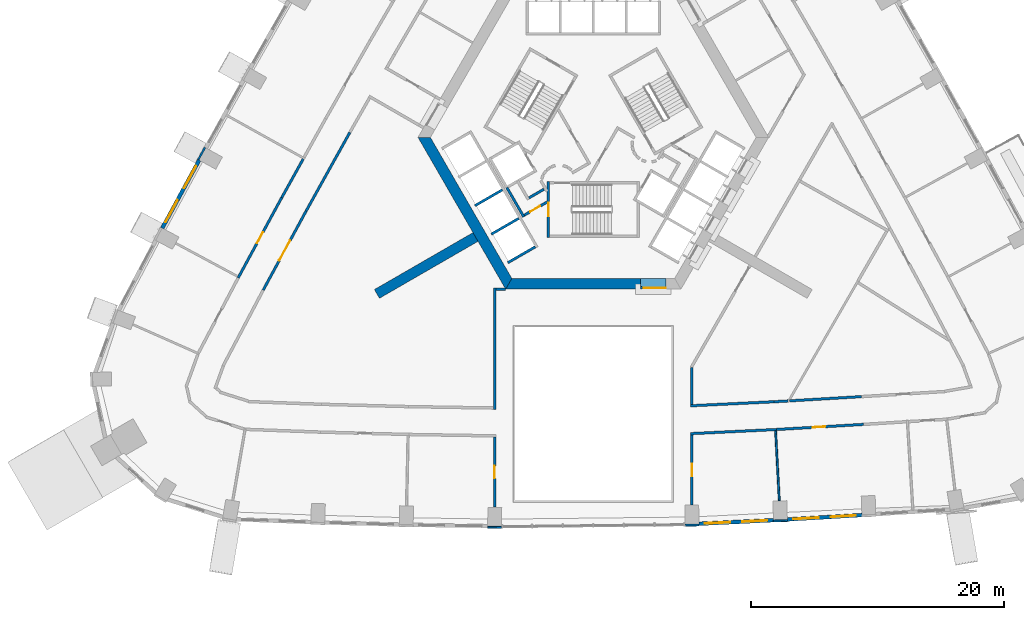
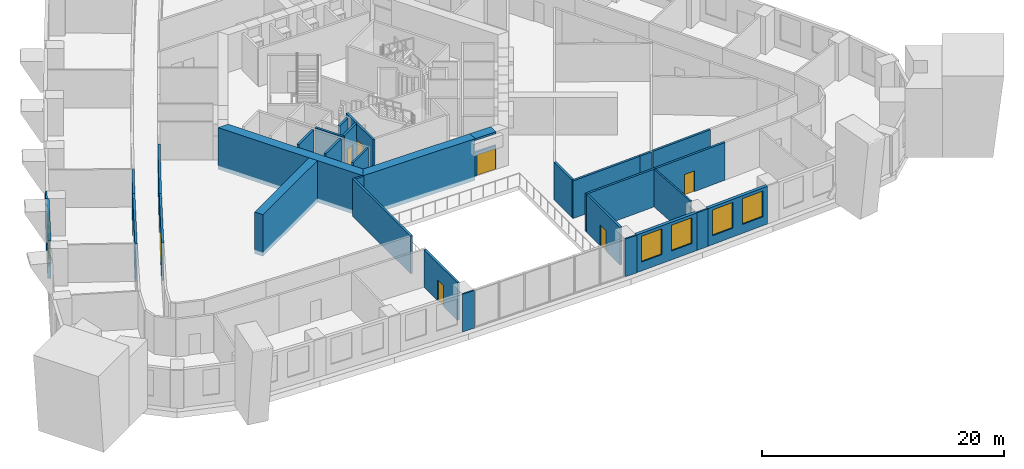
# One storey, part 5 of 15: 34 walls, 8 doors, 6 windows, 14 openings.
"""IFC4 building model written with IfcOpenShell, lengths in metres."""

from ifc_helpers import new_model, si_unit, direction, frame, frame_2d, origin, place, context, subcontext, project, spatial, polyline, rectangle, outline, extrude, material, layer, layer_set, type_object, element, fill, save


model = new_model("IFC4")

# Units and contexts
model_context = context("Model", 3, precision=1e-05, world=origin(), true_north=direction((0.0, 1.0)))
body_context = subcontext(model_context, "Body", "Model", "MODEL_VIEW")
ifc_project = project(units=[si_unit("LENGTHUNIT", "METRE"), si_unit("AREAUNIT", "SQUARE_METRE"), si_unit("VOLUMEUNIT", "CUBIC_METRE"), si_unit("PLANEANGLEUNIT", "RADIAN"), si_unit("MASSUNIT", "GRAM", prefix="KILO")], contexts=[model_context])

# Site, building, storey
site_placement = place(None, origin())
site = spatial("IfcSite", under=ifc_project, at=site_placement, CompositionType="ELEMENT")
building_placement = place(site_placement, origin())
building = spatial("IfcBuilding", under=site, at=building_placement, Name="Entoto Arch Interchange Tower", CompositionType="ELEMENT")
storey_placement = place(building_placement, frame((0.0, 0.0, 124.39990234375)))
storey = spatial("IfcBuildingStorey", under=building, at=storey_placement, Name="L27", CompositionType="ELEMENT", Elevation=124.39990234375)

# Wall
ifc_material_1 = material(Name="Concrete C60/75", Category="concrete")
ifc_layer_1 = layer(ifc_material_1, 0.800048828125)
ifc_layer_set_1 = layer_set([ifc_layer_1], Name="Concrete C60/75")
wall_type_1 = type_object("IfcWallType", Name="Buttress wall 800 C60/75", PredefinedType="SHEAR", material=ifc_layer_set_1)
wall_1_placement = place(storey_placement, frame((-9.31005859375, -5.375, -0.39990234375), z_axis=(0.0, 0.0, 1.0), x_axis=(-0.866017533419, -0.500013631625, 0.0)))
element("IfcWall", 1, at=wall_1_placement, inside=storey, type_object=wall_type_1, Name="Buttress wall SW L27", PredefinedType="SHEAR", context=body_context, shape_type="SweptSolid", body=[
    extrude(rectangle(XDim=8.999755859375, YDim=0.800048828125, at=frame_2d((4.5, 0.0))), origin(), (0.0, 0.0, 1.0), 4.199951171875),
])

# Wall, opening, door
ifc_material_2 = material(Name="Reinforced concrete C40/50", Category="concrete")
ifc_layer_2 = layer(ifc_material_2, 0.199951171875)
ifc_layer_set_2 = layer_set([ifc_layer_2], Name="Reinforced concrete C40/50")
wall_type_2 = type_object("IfcWallType", Name="CORE GAP INFILL WALL", PredefinedType="PARTITIONING", material=ifc_layer_set_2)
wall_2_placement = place(storey_placement, frame((3.75, -9.39990234375, 0.0), z_axis=(0.0, 0.0, 1.0), x_axis=(1.0, 0.0, 0.0)))
wall_2 = element("IfcWall", 2, at=wall_2_placement, inside=storey, type_object=wall_type_2, Name="wall:L27:gap1", PredefinedType="PARTITIONING", context=body_context, shape_type="SweptSolid", body=[
    extrude(rectangle(XDim=2.0, YDim=0.199951171875, at=frame_2d((1.0, 0.0))), origin(), (0.0, 0.0, 1.0), 2.400146484375),
])
opening_1_placement = place(wall_2_placement, frame((0.18994140625, 0.0, 0.0)))
opening_1 = element("IfcOpeningElement", 3, at=opening_1_placement, cuts=wall_2, Name="Opening L27-D91", PredefinedType="OPENING", context=body_context, shape_type="SweptSolid", body=[
    extrude(rectangle(XDim=1.800048828125, YDim=2.10009765625, at=frame_2d((0.89990234375, 1.050048828125))), frame((0.0, 0.10986328125, 0.0), z_axis=(0.0, -1.0, 0.0), x_axis=(1.0, 0.0, 0.0)), (0.0, 0.0, 1.0), 0.219970703125),
])
ifc_material_3 = material(Name="Fire-rated Steel S235 door and frame", Category="steel")
door_type_1 = type_object("IfcDoorType", Name="DOOR FD-18 1800x2100", OperationType="DOUBLE_DOOR_SINGLE_SWING", PredefinedType="DOOR", material=ifc_material_3)
door_1_placement = place(opening_1_placement, origin())
door_1 = element("IfcDoor", 4, at=door_1_placement, inside=storey, type_object=door_type_1, Name="door:L27:gap1", OperationType="DOUBLE_DOOR_SINGLE_SWING", OverallHeight=2.10009765625, OverallWidth=1.800048828125, PredefinedType="DOOR", context=body_context, shape_type="SweptSolid", body=[
    extrude(rectangle(XDim=1.800048828125, YDim=2.10009765625, at=frame_2d((0.89990234375, 1.050048828125))), frame((0.0, 0.02490234375, 0.0), z_axis=(0.0, -1.0, 0.0), x_axis=(1.0, 0.0, 0.0)), (0.0, 0.0, 1.0), 0.050048828125),
])
fill(opening_1, door_1)

# Walls
ifc_layer_3 = layer(ifc_material_1, 0.85009765625)
ifc_layer_set_3 = layer_set([ifc_layer_3], Name="Concrete C60/75")
wall_type_3 = type_object("IfcWallType", Name="Core wall 850 C60/75", PredefinedType="SHEAR", material=ifc_layer_set_3)
wall_3_placement = place(storey_placement, frame((0.0, 0.0, -0.39990234375)))
element("IfcWall", 5, at=wall_3_placement, inside=storey, type_object=wall_type_3, Name="Core wall SW L27", PredefinedType="SHEAR", context=body_context, shape_type="SweptSolid", body=[
    extrude(outline(polyline([(-13.85595703125, 2.5), (-6.927978515625, -9.5), (-6.43701171875, -8.64990234375), (-12.875, 2.5), (-13.85595703125, 2.5)])), origin(), (0.0, 0.0, 1.0), 4.199951171875),
])
wall_4_placement = place(storey_placement, frame((0.0, 0.0, -0.39990234375)))
element("IfcWall", 6, at=wall_4_placement, inside=storey, type_object=wall_type_3, Name="Core wall S L27", PredefinedType="SHEAR", context=body_context, shape_type="SweptSolid", body=[
    extrude(outline(polyline([(3.75, -9.5), (3.75, -8.64990234375), (-6.43701171875, -8.64990234375), (-6.927978515625, -9.5), (3.75, -9.5)])), origin(), (0.0, 0.0, 1.0), 4.199951171875),
])
wall_5_placement = place(storey_placement, frame((0.0, 0.0, 3.60009765625)))
element("IfcWall", 7, at=wall_5_placement, inside=storey, type_object=wall_type_3, Name="Core wall lintel S L27", PredefinedType="SHEAR", context=body_context, shape_type="SweptSolid", body=[
    extrude(outline(polyline([(5.75, -9.5), (5.75, -8.64990234375), (3.75, -8.64990234375), (3.75, -9.5), (5.75, -9.5)])), origin(), (0.0, 0.0, 1.0), 0.199951171875),
])
ifc_material_4 = material(Name="Concrete C40/50", Category="concrete")
ifc_layer_4 = layer(ifc_material_4, 0.199951171875)
ifc_layer_set_4 = layer_set([ifc_layer_4], Name="Concrete C40/50")
wall_type_4 = type_object("IfcWallType", Name="LIFT SHAFT WALL 200", PredefinedType="STANDARD", material=ifc_layer_set_4)
for number, where, z_axis, x_axis, name in (
    (8, (-7.18798828125, -1.64990234375, 0.0), (0.0, 0.0, 1.0), (-0.866022959057, -0.500004234368, 0.0), "Shaft wall SW3 cross 3"),
    (9, (-5.887939453125, -3.902099609375, 0.0), (0.0, 0.0, 1.0), (-0.866022959057, -0.500004234368, 0.0), "Shaft wall SW3 cross 4"),
    (10, (-4.587890625, -6.153076171875, 0.0), (0.0, 0.0, 1.0), (-0.866022959057, -0.500004234368, 0.0), "Shaft wall SW3 cross 5"),
):
    element("IfcWall", number, at=place(storey_placement, frame(where, z_axis=z_axis, x_axis=x_axis)), inside=storey, type_object=wall_type_4, Name=name, PredefinedType="STANDARD", context=body_context, shape_type="SweptSolid", body=[
        extrude(rectangle(XDim=2.5, YDim=0.199951171875, at=frame_2d((1.25, 0.0))), origin(), (0.0, 0.0, 1.0), 3.800048828125),
    ])
ifc_material_5 = material(Name="Gypsum board partition on steel studs", Category="steel")
ifc_layer_5 = layer(ifc_material_5, 0.14990234375)
ifc_layer_set_5 = layer_set([ifc_layer_5], Name="Gypsum board partition on steel studs")
wall_type_5 = type_object("IfcWallType", Name="PARTITION 150", PredefinedType="PARTITIONING", material=ifc_layer_set_5)
wall_6_placement = place(storey_placement, frame((14.410888671875, -20.697021484375, 0.0), z_axis=(0.0, 0.0, 1.0), x_axis=(0.053386216168, -0.998573939137, 0.0)))
element("IfcWall", 11, at=wall_6_placement, inside=storey, type_object=wall_type_5, Name="wall:L27:p133", PredefinedType="PARTITIONING", context=body_context, shape_type="SweptSolid", body=[
    extrude(rectangle(XDim=5.52880859375, YDim=0.14990234375, at=frame_2d((2.764404296875, 0.0))), origin(), (0.0, 0.0, 1.0), 3.800048828125),
])
ifc_layer_6 = layer(ifc_material_5, 0.199951171875)
ifc_layer_set_6 = layer_set([ifc_layer_6], Name="Gypsum board partition on steel studs")
wall_type_6 = type_object("IfcWallType", Name="PARTITION 200", PredefinedType="PARTITIONING", material=ifc_layer_set_6)
wall_7_placement = place(storey_placement, frame((7.699951171875, -18.718994140625, 0.0), z_axis=(0.0, 0.0, 1.0), x_axis=(0.998829118209, 0.048377604502, 0.0)))
element("IfcWall", 12, at=wall_7_placement, inside=storey, type_object=wall_type_6, Name="wall:L27:p020", PredefinedType="PARTITIONING", context=body_context, shape_type="SweptSolid", body=[
    extrude(rectangle(XDim=6.595947265625, YDim=0.199951171875, at=frame_2d((3.2978515625, 0.0))), origin(), (0.0, 0.0, 1.0), 3.800048828125),
])
wall_8_placement = place(storey_placement, frame((14.2880859375, -18.39990234375, 0.0), z_axis=(0.0, 0.0, 1.0), x_axis=(0.998339941676, 0.057596535097, 0.0)))
element("IfcWall", 13, at=wall_8_placement, inside=storey, type_object=wall_type_6, Name="wall:L27:p021", PredefinedType="PARTITIONING", context=body_context, shape_type="SweptSolid", body=[
    extrude(rectangle(XDim=1.093505859375, YDim=0.199951171875, at=frame_2d((0.546875, 0.0))), origin(), (0.0, 0.0, 1.0), 3.800048828125),
])
wall_9_placement = place(storey_placement, frame((15.529052734375, -18.327880859375, 0.0), z_axis=(0.0, 0.0, 1.0), x_axis=(0.998293671523, 0.058393025246, 0.0)))
element("IfcWall", 14, at=wall_9_placement, inside=storey, type_object=wall_type_6, Name="wall:L27:p025", PredefinedType="PARTITIONING", context=body_context, shape_type="SweptSolid", body=[
    extrude(rectangle(XDim=5.69873046875, YDim=0.199951171875, at=frame_2d((2.849365234375, 0.0))), origin(), (0.0, 0.0, 1.0), 3.800048828125),
])
wall_10_placement = place(storey_placement, frame((-19.242919921875, 2.89404296875, 0.0), z_axis=(0.0, 0.0, 1.0), x_axis=(-0.486304341235, -0.873789498504, 0.0)))
element("IfcWall", 15, at=wall_10_placement, inside=storey, type_object=wall_type_6, Name="wall:L27:p034", PredefinedType="PARTITIONING", context=body_context, shape_type="SweptSolid", body=[
    extrude(rectangle(XDim=7.11279296875, YDim=0.199951171875, at=frame_2d((3.556396484375, 0.0))), origin(), (0.0, 0.0, 1.0), 3.800048828125),
])

# Wall, opening, door
wall_11_placement = place(storey_placement, frame((-22.701904296875, -3.321044921875, 0.0), z_axis=(0.0, 0.0, 1.0), x_axis=(-0.476941907079, -0.878934819695, 0.0)))
wall_11 = element("IfcWall", 16, at=wall_11_placement, inside=storey, type_object=wall_type_6, Name="wall:L27:p035", PredefinedType="PARTITIONING", context=body_context, shape_type="SweptSolid", body=[
    extrude(rectangle(XDim=7.1142578125, YDim=0.199951171875, at=frame_2d((3.55712890625, 0.0))), origin(), (0.0, 0.0, 1.0), 3.800048828125),
])
opening_2_placement = place(wall_11_placement, frame((2.656982421875, 0.0, 0.0)))
opening_2 = element("IfcOpeningElement", 17, at=opening_2_placement, cuts=wall_11, Name="Opening L27-D30", PredefinedType="OPENING", context=body_context, shape_type="SweptSolid", body=[
    extrude(rectangle(XDim=1.800048828125, YDim=2.10009765625, at=frame_2d((0.89990234375, 1.050048828125))), frame((0.0, 0.10986328125, 0.0), z_axis=(0.0, -1.0, 0.0), x_axis=(1.0, 0.0, 0.0)), (0.0, 0.0, 1.0), 0.219970703125),
])
ifc_material_6 = material(Name="Timber door leaf in Steel S235 frame", Category="steel")
door_type_2 = type_object("IfcDoorType", Name="DOOR DD-18 1800x2100", OperationType="DOUBLE_DOOR_SINGLE_SWING", PredefinedType="DOOR", material=ifc_material_6)
door_2_placement = place(opening_2_placement, origin())
door_2 = element("IfcDoor", 18, at=door_2_placement, inside=storey, type_object=door_type_2, Name="door:L27:30", OperationType="DOUBLE_DOOR_SINGLE_SWING", OverallHeight=2.10009765625, OverallWidth=1.800048828125, PredefinedType="DOOR", context=body_context, shape_type="SweptSolid", body=[
    extrude(rectangle(XDim=1.800048828125, YDim=2.10009765625, at=frame_2d((0.89990234375, 1.050048828125))), frame((0.0, 0.02490234375, 0.0), z_axis=(0.0, -1.0, 0.0), x_axis=(1.0, 0.0, 0.0)), (0.0, 0.0, 1.0), 0.050048828125),
])
fill(opening_2, door_2)

# Wall
wall_12_placement = place(storey_placement, frame((14.48095703125, -20.593994140625, 0.0), z_axis=(0.0, 0.0, 1.0), x_axis=(-0.998839976403, -0.048152897512, 0.0)))
element("IfcWall", 19, at=wall_12_placement, inside=storey, type_object=wall_type_6, Name="wall:L27:p043", PredefinedType="PARTITIONING", context=body_context, shape_type="SweptSolid", body=[
    extrude(rectangle(XDim=6.788818359375, YDim=0.199951171875, at=frame_2d((3.39453125, 0.0))), origin(), (0.0, 0.0, 1.0), 3.800048828125),
])

# Wall, opening, door
wall_13_placement = place(storey_placement, frame((21.35009765625, -20.19091796875, 0.0), z_axis=(0.0, 0.0, 1.0), x_axis=(-0.998291094182, -0.058437071087, 0.0)))
wall_13 = element("IfcWall", 20, at=wall_13_placement, inside=storey, type_object=wall_type_6, Name="wall:L27:p045", PredefinedType="PARTITIONING", context=body_context, shape_type="SweptSolid", body=[
    extrude(rectangle(XDim=6.880859375, YDim=0.199951171875, at=frame_2d((3.4404296875, 0.0))), origin(), (0.0, 0.0, 1.0), 3.800048828125),
])
opening_3_placement = place(wall_13_placement, frame((3.01611328125, 0.0, 0.0)))
opening_3 = element("IfcOpeningElement", 21, at=opening_3_placement, cuts=wall_13, Name="Opening L27-D02", PredefinedType="OPENING", context=body_context, shape_type="SweptSolid", body=[
    extrude(rectangle(XDim=1.0, YDim=2.10009765625, at=frame_2d((0.5, 1.050048828125))), frame((0.0, 0.10986328125, 0.0), z_axis=(0.0, -1.0, 0.0), x_axis=(1.0, 0.0, 0.0)), (0.0, 0.0, 1.0), 0.219970703125),
])
door_type_3 = type_object("IfcDoorType", Name="DOOR DS-10 1000x2100", OperationType="SINGLE_SWING_LEFT", PredefinedType="DOOR", material=ifc_material_6)
door_3_placement = place(opening_3_placement, origin())
door_3 = element("IfcDoor", 22, at=door_3_placement, inside=storey, type_object=door_type_3, Name="door:L27:02", OperationType="SINGLE_SWING_RIGHT", OverallHeight=2.10009765625, OverallWidth=1.0, PredefinedType="DOOR", context=body_context, shape_type="SweptSolid", body=[
    extrude(rectangle(XDim=1.0, YDim=2.10009765625, at=frame_2d((0.5, 1.050048828125))), frame((0.0, 0.02490234375, 0.0), z_axis=(0.0, -1.0, 0.0), x_axis=(1.0, 0.0, 0.0)), (0.0, 0.0, 1.0), 0.050048828125),
])
fill(opening_3, door_3)

wall_14_placement = place(storey_placement, frame((-28.070068359375, -8.60107421875, 0.0), z_axis=(0.0, 0.0, 1.0), x_axis=(0.476979808397, 0.878914252007, 0.0)))
wall_14 = element("IfcWall", 23, at=wall_14_placement, inside=storey, type_object=wall_type_6, Name="wall:L27:p074", PredefinedType="PARTITIONING", context=body_context, shape_type="SweptSolid", body=[
    extrude(rectangle(XDim=7.21240234375, YDim=0.199951171875, at=frame_2d((3.606201171875, 0.0))), origin(), (0.0, 0.0, 1.0), 3.800048828125),
])
opening_4_placement = place(wall_14_placement, frame((3.10595703125, 0.0, 0.0)))
opening_4 = element("IfcOpeningElement", 24, at=opening_4_placement, cuts=wall_14, Name="Opening L27-D17", PredefinedType="OPENING", context=body_context, shape_type="SweptSolid", body=[
    extrude(rectangle(XDim=1.0, YDim=2.10009765625, at=frame_2d((0.5, 1.050048828125))), frame((0.0, 0.10986328125, 0.0), z_axis=(0.0, -1.0, 0.0), x_axis=(1.0, 0.0, 0.0)), (0.0, 0.0, 1.0), 0.219970703125),
])
door_4_placement = place(opening_4_placement, origin())
door_4 = element("IfcDoor", 25, at=door_4_placement, inside=storey, type_object=door_type_3, Name="door:L27:17", OperationType="SINGLE_SWING_RIGHT", OverallHeight=2.10009765625, OverallWidth=1.0, PredefinedType="DOOR", context=body_context, shape_type="SweptSolid", body=[
    extrude(rectangle(XDim=1.0, YDim=2.10009765625, at=frame_2d((0.5, 1.050048828125))), frame((0.0, 0.02490234375, 0.0), z_axis=(0.0, -1.0, 0.0), x_axis=(1.0, 0.0, 0.0)), (0.0, 0.0, 1.0), 0.050048828125),
])
fill(opening_4, door_4)

# Walls
wall_15_placement = place(storey_placement, frame((-24.6298828125, -2.261962890625, 0.0), z_axis=(0.0, 0.0, 1.0), x_axis=(0.486058237491, 0.873926421255, 0.0)))
element("IfcWall", 26, at=wall_15_placement, inside=storey, type_object=wall_type_6, Name="wall:L27:p075", PredefinedType="PARTITIONING", context=body_context, shape_type="SweptSolid", body=[
    extrude(rectangle(XDim=3.493408203125, YDim=0.199951171875, at=frame_2d((1.74658203125, 0.0))), origin(), (0.0, 0.0, 1.0), 3.800048828125),
])
wall_16_placement = place(storey_placement, frame((-3.89990234375, -1.59912109375, 0.0), z_axis=(0.0, 0.0, 1.0), x_axis=(-0.865969445389, -0.500096910261, 0.0)))
element("IfcWall", 27, at=wall_16_placement, inside=storey, type_object=wall_type_6, Name="wall:L27:p090", PredefinedType="PARTITIONING", context=body_context, shape_type="SweptSolid", body=[
    extrude(rectangle(XDim=1.373291015625, YDim=0.199951171875, at=frame_2d((0.6865234375, 0.0))), origin(), (0.0, 0.0, 1.0), 3.800048828125),
])

# Wall, opening, door
wall_17_placement = place(storey_placement, frame((-3.64990234375, -2.610107421875, 0.0), z_axis=(0.0, 0.0, 1.0), x_axis=(-0.866072462134, -0.499918483688, 0.0)))
wall_17 = element("IfcWall", 28, at=wall_17_placement, inside=storey, type_object=wall_type_6, Name="wall:L27:p092", PredefinedType="PARTITIONING", context=body_context, shape_type="SweptSolid", body=[
    extrude(rectangle(XDim=2.084228515625, YDim=0.199951171875, at=frame_2d((1.0419921875, 0.0))), origin(), (0.0, 0.0, 1.0), 3.800048828125),
])
opening_5_placement = place(wall_17_placement, frame((0.64208984375, 0.0, 0.0)))
opening_5 = element("IfcOpeningElement", 29, at=opening_5_placement, cuts=wall_17, Name="Opening L27-D38", PredefinedType="OPENING", context=body_context, shape_type="SweptSolid", body=[
    extrude(rectangle(XDim=0.89990234375, YDim=2.10009765625, at=frame_2d((0.449951171875, 1.050048828125))), frame((0.0, 0.10986328125, 0.0), z_axis=(0.0, -1.0, 0.0), x_axis=(1.0, 0.0, 0.0)), (0.0, 0.0, 1.0), 0.219970703125),
])
door_type_4 = type_object("IfcDoorType", Name="DOOR DS-09 900x2100", OperationType="SINGLE_SWING_LEFT", PredefinedType="DOOR", material=ifc_material_6)
door_5_placement = place(opening_5_placement, origin())
door_5 = element("IfcDoor", 30, at=door_5_placement, inside=storey, type_object=door_type_4, Name="door:L27:38", OperationType="SINGLE_SWING_LEFT", OverallHeight=2.10009765625, OverallWidth=0.89990234375, PredefinedType="DOOR", context=body_context, shape_type="SweptSolid", body=[
    extrude(rectangle(XDim=0.89990234375, YDim=2.10009765625, at=frame_2d((0.449951171875, 1.050048828125))), frame((0.0, 0.02490234375, 0.0), z_axis=(0.0, -1.0, 0.0), x_axis=(1.0, 0.0, 0.0)), (0.0, 0.0, 1.0), 0.050048828125),
])
fill(opening_5, door_5)

# Walls
wall_18_placement = place(storey_placement, frame((-5.491943359375, -3.7880859375, 0.0), z_axis=(0.0, 0.0, 1.0), x_axis=(-0.500008949224, 0.866020236886, 0.0)))
element("IfcWall", 31, at=wall_18_placement, inside=storey, type_object=wall_type_6, Name="wall:L27:p093", PredefinedType="PARTITIONING", context=body_context, shape_type="SweptSolid", body=[
    extrude(rectangle(XDim=2.68017578125, YDim=0.199951171875, at=frame_2d((1.340087890625, 0.0))), origin(), (0.0, 0.0, 1.0), 3.800048828125),
])
wall_19_placement = place(storey_placement, frame((7.800048828125, -15.68994140625, 0.0), z_axis=(0.0, 0.0, 1.0), x_axis=(0.0, -1.0, 0.0)))
element("IfcWall", 32, at=wall_19_placement, inside=storey, type_object=wall_type_6, Name="wall:L27:p115", PredefinedType="PARTITIONING", context=body_context, shape_type="SweptSolid", body=[
    extrude(rectangle(XDim=2.924072265625, YDim=0.199951171875, at=frame_2d((1.4619140625, 0.0))), origin(), (0.0, 0.0, 1.0), 3.800048828125),
])
wall_20_placement = place(storey_placement, frame((-7.800048828125, -18.9970703125, 0.0), z_axis=(0.0, 0.0, 1.0), x_axis=(0.0, 1.0, 0.0)))
element("IfcWall", 33, at=wall_20_placement, inside=storey, type_object=wall_type_6, Name="wall:L27:p116", PredefinedType="PARTITIONING", context=body_context, shape_type="SweptSolid", body=[
    extrude(rectangle(XDim=9.59814453125, YDim=0.199951171875, at=frame_2d((4.799072265625, 0.0))), origin(), (0.0, 0.0, 1.0), 3.800048828125),
])
wall_21_placement = place(storey_placement, frame((-7.699951171875, -9.4990234375, 0.0), z_axis=(0.0, 0.0, 1.0), x_axis=(1.0, 0.0, 0.0)))
element("IfcWall", 34, at=wall_21_placement, inside=storey, type_object=wall_type_6, Name="wall:L27:p117", PredefinedType="PARTITIONING", context=body_context, shape_type="SweptSolid", body=[
    extrude(rectangle(XDim=0.77099609375, YDim=0.199951171875, at=frame_2d((0.385498046875, 0.0))), origin(), (0.0, 0.0, 1.0), 3.800048828125),
])

# Wall, opening, door
wall_22_placement = place(storey_placement, frame((7.800048828125, -21.01708984375, 0.0), z_axis=(0.0, 0.0, 1.0), x_axis=(0.0, -1.0, 0.0)))
wall_22 = element("IfcWall", 35, at=wall_22_placement, inside=storey, type_object=wall_type_6, Name="wall:L27:p118", PredefinedType="PARTITIONING", context=body_context, shape_type="SweptSolid", body=[
    extrude(rectangle(XDim=5.537841796875, YDim=0.199951171875, at=frame_2d((2.76904296875, 0.0))), origin(), (0.0, 0.0, 1.0), 3.800048828125),
])
opening_6_placement = place(wall_22_placement, frame((2.26904296875, 0.0, 0.0)))
opening_6 = element("IfcOpeningElement", 36, at=opening_6_placement, cuts=wall_22, Name="Opening L27-D01", PredefinedType="OPENING", context=body_context, shape_type="SweptSolid", body=[
    extrude(rectangle(XDim=1.0, YDim=2.10009765625, at=frame_2d((0.5, 1.050048828125))), frame((0.0, 0.10986328125, 0.0), z_axis=(0.0, -1.0, 0.0), x_axis=(1.0, 0.0, 0.0)), (0.0, 0.0, 1.0), 0.219970703125),
])
door_6_placement = place(opening_6_placement, origin())
door_6 = element("IfcDoor", 37, at=door_6_placement, inside=storey, type_object=door_type_3, Name="door:L27:01", OperationType="SINGLE_SWING_LEFT", OverallHeight=2.10009765625, OverallWidth=1.0, PredefinedType="DOOR", context=body_context, shape_type="SweptSolid", body=[
    extrude(rectangle(XDim=1.0, YDim=2.10009765625, at=frame_2d((0.5, 1.050048828125))), frame((0.0, 0.02490234375, 0.0), z_axis=(0.0, -1.0, 0.0), x_axis=(1.0, 0.0, 0.0)), (0.0, 0.0, 1.0), 0.050048828125),
])
fill(opening_6, door_6)

wall_23_placement = place(storey_placement, frame((-7.800048828125, -26.72802734375, 0.0), z_axis=(0.0, 0.0, 1.0), x_axis=(0.0, 1.0, 0.0)))
wall_23 = element("IfcWall", 38, at=wall_23_placement, inside=storey, type_object=wall_type_6, Name="wall:L27:p119", PredefinedType="PARTITIONING", context=body_context, shape_type="SweptSolid", body=[
    extrude(rectangle(XDim=5.531005859375, YDim=0.199951171875, at=frame_2d((2.765625, 0.0))), origin(), (0.0, 0.0, 1.0), 3.800048828125),
])
opening_7_placement = place(wall_23_placement, frame((2.264892578125, 0.0, 0.0)))
opening_7 = element("IfcOpeningElement", 39, at=opening_7_placement, cuts=wall_23, Name="Opening L27-D21", PredefinedType="OPENING", context=body_context, shape_type="SweptSolid", body=[
    extrude(rectangle(XDim=1.0, YDim=2.10009765625, at=frame_2d((0.5, 1.050048828125))), frame((0.0, 0.10986328125, 0.0), z_axis=(0.0, -1.0, 0.0), x_axis=(1.0, 0.0, 0.0)), (0.0, 0.0, 1.0), 0.219970703125),
])
door_7_placement = place(opening_7_placement, origin())
door_7 = element("IfcDoor", 40, at=door_7_placement, inside=storey, type_object=door_type_3, Name="door:L27:21", OperationType="SINGLE_SWING_LEFT", OverallHeight=2.10009765625, OverallWidth=1.0, PredefinedType="DOOR", context=body_context, shape_type="SweptSolid", body=[
    extrude(rectangle(XDim=1.0, YDim=2.10009765625, at=frame_2d((0.5, 1.050048828125))), frame((0.0, 0.02490234375, 0.0), z_axis=(0.0, -1.0, 0.0), x_axis=(1.0, 0.0, 0.0)), (0.0, 0.0, 1.0), 0.050048828125),
])
fill(opening_7, door_7)

ifc_layer_7 = layer(ifc_material_4, 0.199951171875)
ifc_layer_set_7 = layer_set([ifc_layer_7], Name="Concrete C40/50")
wall_type_7 = type_object("IfcWallType", Name="STAIR ENCLOSURE WALL 200", PredefinedType="STANDARD", material=ifc_layer_set_7)
wall_24_placement = place(storey_placement, frame((-3.550048828125, -1.0, 0.0), z_axis=(0.0, 0.0, 1.0), x_axis=(0.0, -1.0, 0.0)))
wall_24 = element("IfcWall", 41, at=wall_24_placement, inside=storey, type_object=wall_type_7, Name="Stair wall ST-S near", PredefinedType="STANDARD", context=body_context, shape_type="SweptSolid", body=[
    extrude(rectangle(XDim=4.39990234375, YDim=0.199951171875, at=frame_2d((2.199951171875, 0.0))), origin(), (0.0, 0.0, 1.0), 3.800048828125),
])
opening_8_placement = place(wall_24_placement, frame((1.64990234375, 0.0, 0.0)))
opening_8 = element("IfcOpeningElement", 42, at=opening_8_placement, cuts=wall_24, Name="Opening SD-ST-S-L27-E", PredefinedType="OPENING", context=body_context, shape_type="SweptSolid", body=[
    extrude(rectangle(XDim=1.10009765625, YDim=2.199951171875, at=frame_2d((0.550048828125, 1.10009765625))), frame((0.0, 0.10986328125, 0.0), z_axis=(0.0, -1.0, 0.0), x_axis=(1.0, 0.0, 0.0)), (0.0, 0.0, 1.0), 0.219970703125),
])
ifc_material_7 = material(Name="Steel S235", Category="steel")
door_type_5 = type_object("IfcDoorType", Name="STAIR DOOR SD1 1100x2200", OperationType="SINGLE_SWING_LEFT", PredefinedType="DOOR", material=ifc_material_7)
door_8_placement = place(opening_8_placement, origin())
door_8 = element("IfcDoor", 43, at=door_8_placement, inside=storey, type_object=door_type_5, Name="Stair door ST-S L27 end", OperationType="SINGLE_SWING_LEFT", OverallHeight=2.199951171875, OverallWidth=1.10009765625, PredefinedType="DOOR", context=body_context, shape_type="SweptSolid", body=[
    extrude(rectangle(XDim=1.10009765625, YDim=2.199951171875, at=frame_2d((0.550048828125, 1.10009765625))), frame((0.0, 0.02490234375, 0.0), z_axis=(0.0, -1.0, 0.0), x_axis=(1.0, 0.0, 0.0)), (0.0, 0.0, 1.0), 0.050048828125),
])
fill(opening_8, door_8)

# Wall, openings, windows
ifc_material_8 = material(Name="Welded tuff (ignimbrite) cladding, warm buff", Category="masonry")
ifc_layer_8 = layer(ifc_material_8, 0.300048828125)
ifc_layer_set_8 = layer_set([ifc_layer_8], Name="Welded tuff (ignimbrite) cladding, warm buff")
wall_type_8 = type_object("IfcWallType", Name="STONE INFILL WALL 300", PredefinedType="STANDARD", material=ifc_layer_set_8)
wall_25_placement = place(storey_placement, frame((8.346923828125, -28.048095703125, 0.0), z_axis=(0.0, 0.0, 1.0), x_axis=(0.998840459798, 0.048142869367, 0.0)))
wall_25 = element("IfcWall", 44, at=wall_25_placement, inside=storey, type_object=wall_type_8, Name="Facade wall S-05 L27", PredefinedType="STANDARD", context=body_context, shape_type="SweptSolid", body=[
    extrude(rectangle(XDim=5.90283203125, YDim=0.300048828125, at=frame_2d((2.951416015625, 0.0))), origin(), (0.0, 0.0, 1.0), 3.800048828125),
])
opening_9_placement = place(wall_25_placement, frame((0.47607421875, 0.0, 0.89990234375)))
opening_9 = element("IfcOpeningElement", 45, at=opening_9_placement, cuts=wall_25, Name="Opening WO-C", PredefinedType="OPENING", context=body_context, shape_type="SweptSolid", body=[
    extrude(rectangle(XDim=2.0, YDim=2.60009765625, at=frame_2d((1.0, 1.300048828125))), frame((0.0, 0.16015625, 0.0), z_axis=(0.0, -1.0, 0.0), x_axis=(1.0, 0.0, 0.0)), (0.0, 0.0, 1.0), 0.320068359375),
])
opening_10_placement = place(wall_25_placement, frame((3.427001953125, 0.0, 0.89990234375)))
opening_10 = element("IfcOpeningElement", 46, at=opening_10_placement, cuts=wall_25, Name="Opening WO-C", PredefinedType="OPENING", context=body_context, shape_type="SweptSolid", body=[
    extrude(rectangle(XDim=2.0, YDim=2.60009765625, at=frame_2d((1.0, 1.300048828125))), frame((0.0, 0.16015625, 0.0), z_axis=(0.0, -1.0, 0.0), x_axis=(1.0, 0.0, 0.0)), (0.0, 0.0, 1.0), 0.320068359375),
])
ifc_material_9 = material(Name="Clear glass, low-e double glazed", Category="glass")
window_type = type_object("IfcWindowType", Name="WINDOW WO-C 2000x2600", PartitioningType="DOUBLE_PANEL_VERTICAL", PredefinedType="WINDOW", material=ifc_material_9)
window_1_placement = place(opening_9_placement, origin())
window_1 = element("IfcWindow", 47, at=window_1_placement, inside=storey, type_object=window_type, Name="Window WO-C S-05 L27", OverallHeight=2.60009765625, OverallWidth=2.0, PartitioningType="SINGLE_PANEL", PredefinedType="WINDOW", context=body_context, shape_type="SweptSolid", body=[
    extrude(rectangle(XDim=2.0, YDim=2.60009765625, at=frame_2d((1.0, 1.300048828125))), frame((0.0, 0.030029296875, 0.0), z_axis=(0.0, -1.0, 0.0), x_axis=(1.0, 0.0, 0.0)), (0.0, 0.0, 1.0), 0.06005859375),
])
fill(opening_9, window_1)
window_2_placement = place(opening_10_placement, origin())
window_2 = element("IfcWindow", 48, at=window_2_placement, inside=storey, type_object=window_type, Name="Window WO-C S-05 L27", OverallHeight=2.60009765625, OverallWidth=2.0, PartitioningType="SINGLE_PANEL", PredefinedType="WINDOW", context=body_context, shape_type="SweptSolid", body=[
    extrude(rectangle(XDim=2.0, YDim=2.60009765625, at=frame_2d((1.0, 1.300048828125))), frame((0.0, 0.030029296875, 0.0), z_axis=(0.0, -1.0, 0.0), x_axis=(1.0, 0.0, 0.0)), (0.0, 0.0, 1.0), 0.06005859375),
])
fill(opening_10, window_2)

wall_26_placement = place(storey_placement, frame((15.340087890625, -27.705078125, 0.0), z_axis=(0.0, 0.0, 1.0), x_axis=(0.998292147894, 0.058419067546, 0.0)))
wall_26 = element("IfcWall", 49, at=wall_26_placement, inside=storey, type_object=wall_type_8, Name="Facade wall S-06 L27", PredefinedType="STANDARD", context=body_context, shape_type="SweptSolid", body=[
    extrude(rectangle(XDim=5.905029296875, YDim=0.300048828125, at=frame_2d((2.95263671875, 0.0))), origin(), (0.0, 0.0, 1.0), 3.800048828125),
])
opening_11_placement = place(wall_26_placement, frame((0.47607421875, 0.0, 0.89990234375)))
opening_11 = element("IfcOpeningElement", 50, at=opening_11_placement, cuts=wall_26, Name="Opening WO-C", PredefinedType="OPENING", context=body_context, shape_type="SweptSolid", body=[
    extrude(rectangle(XDim=2.0, YDim=2.60009765625, at=frame_2d((1.0, 1.300048828125))), frame((0.0, 0.16015625, 0.0), z_axis=(0.0, -1.0, 0.0), x_axis=(1.0, 0.0, 0.0)), (0.0, 0.0, 1.0), 0.320068359375),
])
opening_12_placement = place(wall_26_placement, frame((3.428955078125, 0.0, 0.89990234375)))
opening_12 = element("IfcOpeningElement", 51, at=opening_12_placement, cuts=wall_26, Name="Opening WO-C", PredefinedType="OPENING", context=body_context, shape_type="SweptSolid", body=[
    extrude(rectangle(XDim=2.0, YDim=2.60009765625, at=frame_2d((1.0, 1.300048828125))), frame((0.0, 0.16015625, 0.0), z_axis=(0.0, -1.0, 0.0), x_axis=(1.0, 0.0, 0.0)), (0.0, 0.0, 1.0), 0.320068359375),
])
window_3_placement = place(opening_11_placement, origin())
window_3 = element("IfcWindow", 52, at=window_3_placement, inside=storey, type_object=window_type, Name="Window WO-C S-06 L27", OverallHeight=2.60009765625, OverallWidth=2.0, PartitioningType="SINGLE_PANEL", PredefinedType="WINDOW", context=body_context, shape_type="SweptSolid", body=[
    extrude(rectangle(XDim=2.0, YDim=2.60009765625, at=frame_2d((1.0, 1.300048828125))), frame((0.0, 0.030029296875, 0.0), z_axis=(0.0, -1.0, 0.0), x_axis=(1.0, 0.0, 0.0)), (0.0, 0.0, 1.0), 0.06005859375),
])
fill(opening_11, window_3)
window_4_placement = place(opening_12_placement, origin())
window_4 = element("IfcWindow", 53, at=window_4_placement, inside=storey, type_object=window_type, Name="Window WO-C S-06 L27", OverallHeight=2.60009765625, OverallWidth=2.0, PartitioningType="SINGLE_PANEL", PredefinedType="WINDOW", context=body_context, shape_type="SweptSolid", body=[
    extrude(rectangle(XDim=2.0, YDim=2.60009765625, at=frame_2d((1.0, 1.300048828125))), frame((0.0, 0.030029296875, 0.0), z_axis=(0.0, -1.0, 0.0), x_axis=(1.0, 0.0, 0.0)), (0.0, 0.0, 1.0), 0.06005859375),
])
fill(opening_12, window_4)

wall_27_placement = place(storey_placement, frame((-31.157958984375, 0.699951171875, 0.0), z_axis=(0.0, 0.0, 1.0), x_axis=(-0.476982616152, -0.878912728255, 0.0)))
wall_27 = element("IfcWall", 54, at=wall_27_placement, inside=storey, type_object=wall_type_8, Name="Facade wall NW-07 L27", PredefinedType="STANDARD", context=body_context, shape_type="SweptSolid", body=[
    extrude(rectangle(XDim=6.115478515625, YDim=0.300048828125, at=frame_2d((3.0576171875, 0.0))), origin(), (0.0, 0.0, 1.0), 3.800048828125),
])
opening_13_placement = place(wall_27_placement, frame((0.529052734375, 0.0, 0.89990234375)))
opening_13 = element("IfcOpeningElement", 55, at=opening_13_placement, cuts=wall_27, Name="Opening WO-C", PredefinedType="OPENING", context=body_context, shape_type="SweptSolid", body=[
    extrude(rectangle(XDim=2.0, YDim=2.60009765625, at=frame_2d((1.0, 1.300048828125))), frame((0.0, 0.16015625, 0.0), z_axis=(0.0, -1.0, 0.0), x_axis=(1.0, 0.0, 0.0)), (0.0, 0.0, 1.0), 0.320068359375),
])
opening_14_placement = place(wall_27_placement, frame((3.5869140625, 0.0, 0.89990234375)))
opening_14 = element("IfcOpeningElement", 56, at=opening_14_placement, cuts=wall_27, Name="Opening WO-C", PredefinedType="OPENING", context=body_context, shape_type="SweptSolid", body=[
    extrude(rectangle(XDim=2.0, YDim=2.60009765625, at=frame_2d((1.0, 1.300048828125))), frame((0.0, 0.16015625, 0.0), z_axis=(0.0, -1.0, 0.0), x_axis=(1.0, 0.0, 0.0)), (0.0, 0.0, 1.0), 0.320068359375),
])
window_5_placement = place(opening_13_placement, origin())
window_5 = element("IfcWindow", 57, at=window_5_placement, inside=storey, type_object=window_type, Name="Window WO-C NW-07 L27", OverallHeight=2.60009765625, OverallWidth=2.0, PartitioningType="SINGLE_PANEL", PredefinedType="WINDOW", context=body_context, shape_type="SweptSolid", body=[
    extrude(rectangle(XDim=2.0, YDim=2.60009765625, at=frame_2d((1.0, 1.300048828125))), frame((0.0, 0.030029296875, 0.0), z_axis=(0.0, -1.0, 0.0), x_axis=(1.0, 0.0, 0.0)), (0.0, 0.0, 1.0), 0.06005859375),
])
fill(opening_13, window_5)
window_6_placement = place(opening_14_placement, origin())
window_6 = element("IfcWindow", 58, at=window_6_placement, inside=storey, type_object=window_type, Name="Window WO-C NW-07 L27", OverallHeight=2.60009765625, OverallWidth=2.0, PartitioningType="SINGLE_PANEL", PredefinedType="WINDOW", context=body_context, shape_type="SweptSolid", body=[
    extrude(rectangle(XDim=2.0, YDim=2.60009765625, at=frame_2d((1.0, 1.300048828125))), frame((0.0, 0.030029296875, 0.0), z_axis=(0.0, -1.0, 0.0), x_axis=(1.0, 0.0, 0.0)), (0.0, 0.0, 1.0), 0.06005859375),
])
fill(opening_14, window_6)

# Walls
ifc_layer_9 = layer(ifc_material_8, 0.14990234375)
ifc_layer_set_9 = layer_set([ifc_layer_9], Name="Welded tuff (ignimbrite) cladding, warm buff")
wall_type_9 = type_object("IfcWallType", Name="STONE PIER CLADDING 150", PredefinedType="STANDARD", material=ifc_layer_set_9)
wall_28_placement = place(storey_placement, frame((-30.697998046875, 1.700927734375, 0.0), z_axis=(0.0, 0.0, 1.0), x_axis=(-0.479737645119, -0.877411985247, 0.0)))
element("IfcWall", 59, at=wall_28_placement, inside=storey, type_object=wall_type_9, Name="Stone pier NW07 L27", PredefinedType="STANDARD", context=body_context, shape_type="SweptSolid", body=[
    extrude(rectangle(XDim=1.100830078125, YDim=0.14990234375, at=frame_2d((0.55029296875, 0.0))), origin(), (0.0, 0.0, 1.0), 3.800048828125),
])
for number, where, z_axis, x_axis, name in (
    (60, (-8.34912109375, -28.318115234375, 0.0), (0.0, 0.0, 1.0), (0.999960601295, -0.008876703074, 0.0), "Stone pier S04 L27"),
    (61, (7.2490234375, -28.155029296875, 0.0), (0.0, 0.0, 1.0), (0.99995860686, 0.009098602504, 0.0), "Stone pier S05 L27"),
):
    element("IfcWall", number, at=place(storey_placement, frame(where, z_axis=z_axis, x_axis=x_axis)), inside=storey, type_object=wall_type_9, Name=name, PredefinedType="STANDARD", context=body_context, shape_type="SweptSolid", body=[
        extrude(rectangle(XDim=1.10009765625, YDim=0.14990234375, at=frame_2d((0.550048828125, 0.0))), origin(), (0.0, 0.0, 1.0), 3.800048828125),
    ])
wall_29_placement = place(storey_placement, frame((14.242919921875, -27.824951171875, 0.0), z_axis=(0.0, 0.0, 1.0), x_axis=(0.999723421029, 0.023517683673, 0.0)))
element("IfcWall", 62, at=wall_29_placement, inside=storey, type_object=wall_type_9, Name="Stone pier S06 L27", PredefinedType="STANDARD", context=body_context, shape_type="SweptSolid", body=[
    extrude(rectangle(XDim=1.100341796875, YDim=0.14990234375, at=frame_2d((0.55029296875, 0.0))), origin(), (0.0, 0.0, 1.0), 3.800048828125),
])

save(model, "model.ifc")
